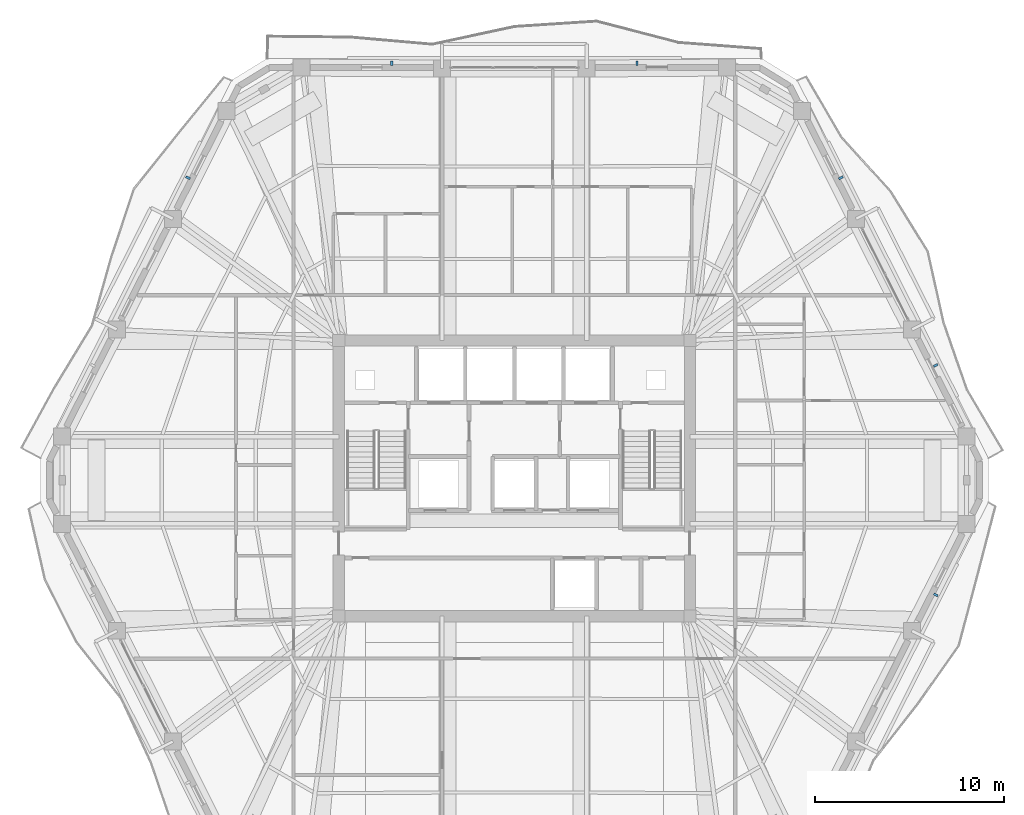
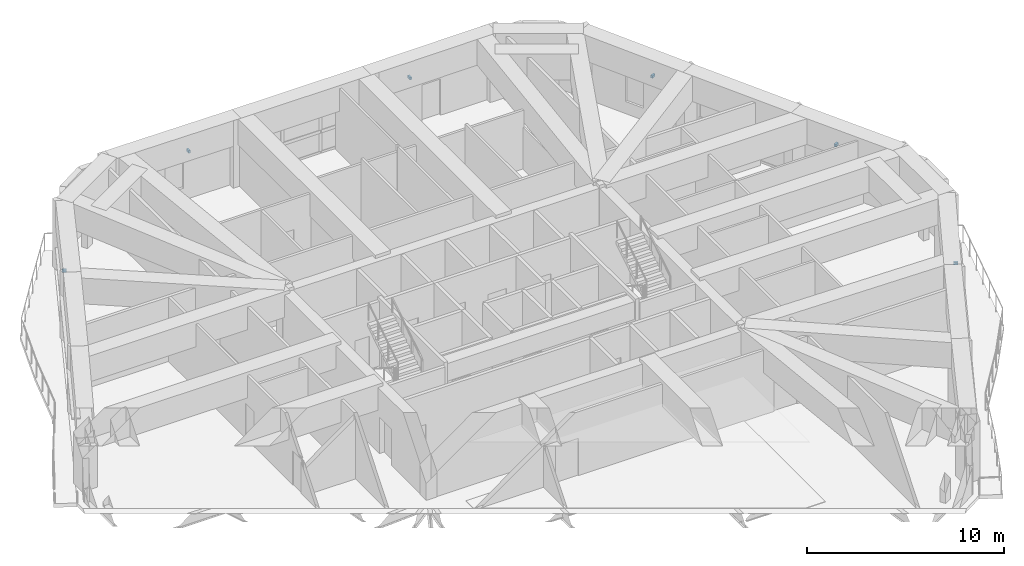
# One storey, part 17 of 20: 6 discrete accessories.
"""IFC4 building model written with IfcOpenShell, lengths in metres."""

from ifc_helpers import new_model, si_unit, direction, frame, origin, origin_2d, place, context, subcontext, project, spatial, rectangle, extrude, material, type_object, element, save


model = new_model("IFC4")

# Units and contexts
model_context = context("Model", 3, precision=1e-05, world=origin(), true_north=direction((0.0, 1.0)))
body_context = subcontext(model_context, "Body", "Model", "MODEL_VIEW")
ifc_project = project(units=[si_unit("LENGTHUNIT", "METRE"), si_unit("AREAUNIT", "SQUARE_METRE"), si_unit("VOLUMEUNIT", "CUBIC_METRE"), si_unit("PLANEANGLEUNIT", "RADIAN"), si_unit("MASSUNIT", "GRAM", prefix="KILO")], contexts=[model_context])

# Site, building, storey
site_placement = place(None, origin())
site = spatial("IfcSite", under=ifc_project, at=site_placement, CompositionType="ELEMENT")
building_placement = place(site_placement, origin())
building = spatial("IfcBuilding", under=site, at=building_placement, Name="Cinnabar Lancet Tower", CompositionType="ELEMENT")
storey_placement = place(building_placement, frame((0.0, 0.0, 167.699951171875)))
storey = spatial("IfcBuildingStorey", under=building, at=storey_placement, Name="L44", CompositionType="ELEMENT", Elevation=167.699951171875)

# Discrete accessories
ifc_material = material(Name="Stainless steel 316 facade fixing bracket", Category="steel")
discrete_accessory_type = type_object("IfcDiscreteAccessoryType", Name="ENV-ACC-BRK-180", PredefinedType="BRACKET", material=ifc_material)
for number, where, z_axis, x_axis, name in (
    (1, (54.720947265625, 19.719970703125, 2.60009765625), (0.0, 0.0, 1.0), (0.451469426816, 0.892286588855, 0.0), "L44 Face 2 Sunshade Bracket B"),
    (2, (54.720947265625, 31.8798828125, 2.60009765625), (0.0, 0.0, 1.0), (-0.451469426816, 0.892286588855, 0.0), "L44 Face 3 Sunshade Bracket A"),
    (3, (49.69091796875, 41.822021484375, 2.60009765625), (0.0, 0.0, 1.0), (-0.451469426816, 0.892286588855, 0.0), "L44 Face 3 Sunshade Bracket B"),
    (4, (38.89990234375, 47.8798828125, 2.60009765625), (0.0, 0.0, 1.0), (-1.0, 0.0, 0.0), "L44 Face 4 Sunshade Bracket A"),
    (5, (25.89990234375, 47.8798828125, 2.60009765625), (0.0, 0.0, 1.0), (-1.0, 0.0, 0.0), "L44 Face 4 Sunshade Bracket B"),
    (6, (15.10888671875, 41.822021484375, 2.60009765625), (0.0, 0.0, 1.0), (-0.451469426816, -0.892286588855, 0.0), "L44 Face 5 Sunshade Bracket A"),
):
    element("IfcDiscreteAccessory", number, at=place(storey_placement, frame(where, z_axis=z_axis, x_axis=x_axis)), inside=storey, type_object=discrete_accessory_type, Name=name, PredefinedType="BRACKET", context=body_context, shape_type="SweptSolid", body=[
        extrude(rectangle(XDim=0.1201171875, YDim=0.239990234375, at=origin_2d()), origin(), (0.0, 0.0, 1.0), 0.159912109375),
    ])

save(model, "model.ifc")
